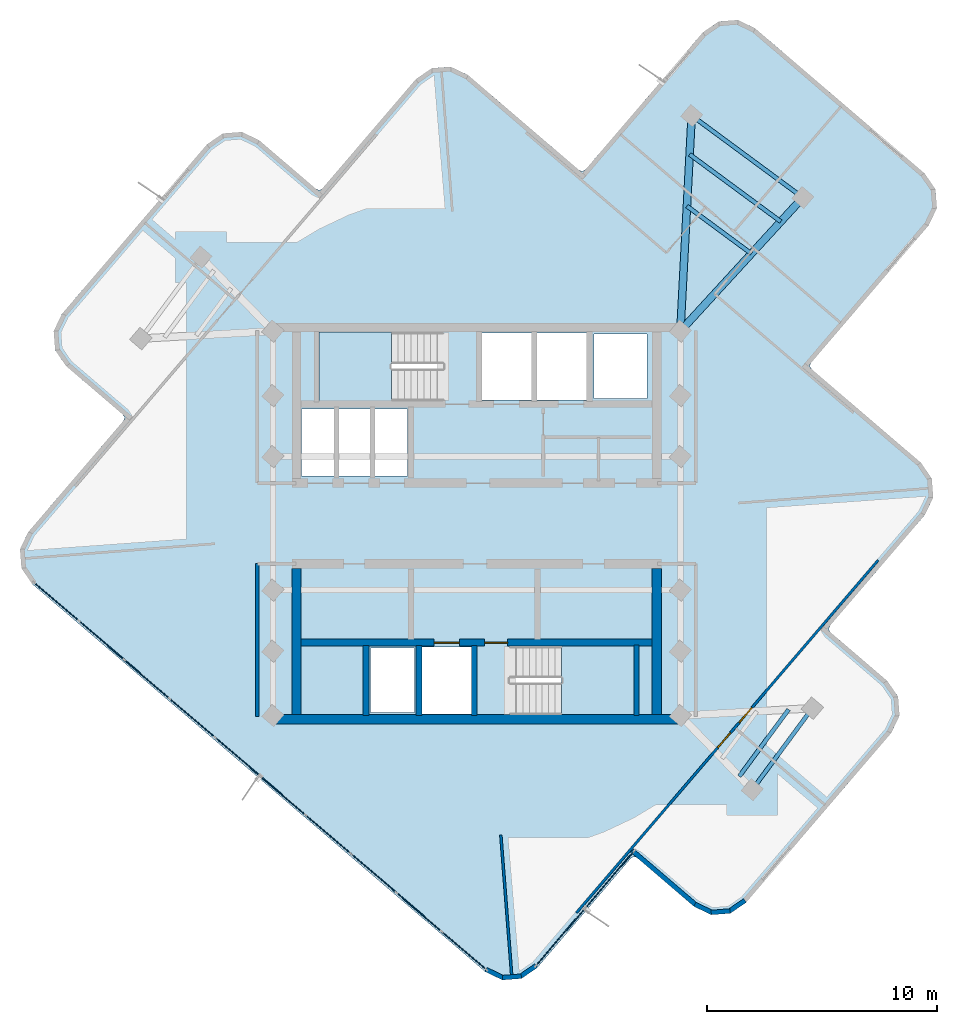
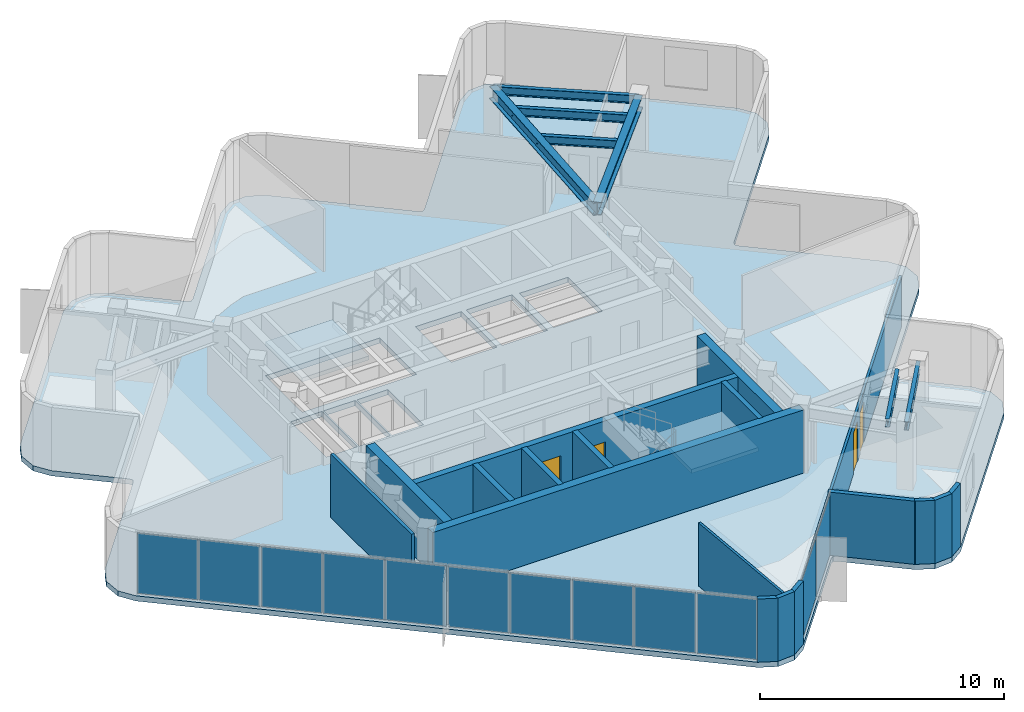
# One storey, part 5 of 11: 18 walls, 12 plates, 7 beams, 4 doors, 3 slabs, 4 openings, 4 elements without a shape of their own.
"""IFC4 building model written with IfcOpenShell, lengths in metres."""

import ifcopenshell
import ifcopenshell.guid

model = None  # the IFC model being written
_history = None  # IfcOwnerHistory: only IFC2X3 demands one
_inside = {}  # id of a spatial element -> (the spatial element, [elements in it])
_under = {}  # id of a project, library or spatial element -> (it, [spatial elements below it])
_declared = {}  # id of a project -> (the project, [libraries it declares])
_typed = {}  # id of a type object -> (the type object, [elements of that type])
_made_of = {}  # id of a material, layer set ... -> (it, [elements and type objects made of it])


def new_model(schema):
    """Start an empty IFC model of exactly this schema.

    Asked for "IFC4X3", IfcOpenShell would pick the latest addendum, in which some entities
    have other attributes; the version numbers below select the first issue.
    IFC2X3 requires an IfcOwnerHistory on every rooted entity: one is made here for all.
    """
    global model, _history
    if schema == "IFC4X3":
        model = ifcopenshell.file(schema_version=(4, 3, 0, 0))
    else:
        model = ifcopenshell.file(schema=schema)
    _inside.clear()
    _under.clear()
    _declared.clear()
    _typed.clear()
    _made_of.clear()
    _history = None
    if model.schema == "IFC2X3":
        org = make("IfcOrganization", Name="unknown")
        user = make(
            "IfcPersonAndOrganization",
            ThePerson=make("IfcPerson", FamilyName="unknown"),
            TheOrganization=org,
        )
        app = make(
            "IfcApplication",
            ApplicationDeveloper=org,
            Version="unknown",
            ApplicationFullName="unknown",
            ApplicationIdentifier="unknown",
        )
        _history = make(
            "IfcOwnerHistory",
            OwningUser=user,
            OwningApplication=app,
            ChangeAction="ADDED",
            CreationDate=0,
        )
    return model


def make(cls, **values):
    """One entity of the class cls with the attributes given. An attribute that is None is left unset."""
    return model.create_entity(
        cls, **{name: value for name, value in values.items() if value is not None}
    )


def rooted(cls, **values):
    """An entity with a GlobalId (a new one), such as an element, a storey or a relation."""
    return make(cls, GlobalId=ifcopenshell.guid.new(), OwnerHistory=_history, **values)


def si_unit(unit_type, name, prefix=None):
    """IfcSIUnit, for example si_unit("LENGTHUNIT", "METRE", prefix="MILLI")."""
    return make("IfcSIUnit", UnitType=unit_type, Prefix=prefix, Name=name)


def assignment(units):
    """IfcUnitAssignment: the units of a project."""
    return None if units is None else make("IfcUnitAssignment", Units=units)


def point(xyz):
    """IfcCartesianPoint."""
    return None if xyz is None else make("IfcCartesianPoint", Coordinates=xyz)


def direction(xyz):
    """IfcDirection."""
    return None if xyz is None else make("IfcDirection", DirectionRatios=xyz)


def frame(location, z_axis=None, x_axis=None):
    """IfcAxis2Placement3D, a coordinate frame: its origin and axes. An axis left out is left unset."""
    return make(
        "IfcAxis2Placement3D",
        Location=point(location),
        Axis=direction(z_axis),
        RefDirection=direction(x_axis),
    )


def frame_2d(location, x_axis=None):
    """IfcAxis2Placement2D, a coordinate frame in the plane: its origin and x axis."""
    return make(
        "IfcAxis2Placement2D", Location=point(location), RefDirection=direction(x_axis)
    )


def origin():
    """The frame at (0, 0, 0) with its axes left unset."""
    return frame((0.0, 0.0, 0.0))


def origin_2d():
    """The frame at (0, 0) in the plane with its x axis left unset."""
    return frame_2d((0.0, 0.0))


def place(relative_to, where):
    """IfcLocalPlacement: puts the frame where relative to a parent placement (None: the world)."""
    return make(
        "IfcLocalPlacement", PlacementRelTo=relative_to, RelativePlacement=where
    )


def context(
    kind, dimensions, precision=None, world=None, true_north=None, identifier=None
):
    """IfcGeometricRepresentationContext, for example the 3D "Model" context."""
    return make(
        "IfcGeometricRepresentationContext",
        ContextIdentifier=identifier,
        ContextType=kind,
        CoordinateSpaceDimension=dimensions,
        Precision=precision,
        WorldCoordinateSystem=world,
        TrueNorth=true_north,
    )


def subcontext(parent, identifier, kind, view, scale=None):
    """IfcGeometricRepresentationSubContext, for example "Body" below "Model"."""
    return make(
        "IfcGeometricRepresentationSubContext",
        ContextIdentifier=identifier,
        ContextType=kind,
        ParentContext=parent,
        TargetScale=scale,
        TargetView=view,
    )


def project(units=None, contexts=None):
    """IfcProject with its units and contexts."""
    return rooted(
        "IfcProject",
        Name="project",
        RepresentationContexts=contexts,
        UnitsInContext=assignment(units),
    )


def spatial(cls, under=None, at=None, **own):
    """A site, building, storey or space (cls), placed at a placement, below another one or the project."""
    s = rooted(cls, ObjectPlacement=at, **own)
    if under is not None:
        _under.setdefault(under.id(), (under, []))[1].append(s)
    return s


def polyline(points):
    """IfcPolyline through the points."""
    return make("IfcPolyline", Points=[point(p) for p in points])


def profile(cls, at=None, kind="AREA", **sizes):
    """A parametric profile (cls). Its sizes go by their IFC names, for example OverallWidth=200.0."""
    return make(cls, ProfileType=kind, Position=at, **sizes)


def rectangle(**sizes):
    """IfcRectangleProfileDef."""
    return profile("IfcRectangleProfileDef", **sizes)


def i_section(**sizes):
    """IfcIShapeProfileDef."""
    return profile("IfcIShapeProfileDef", **sizes)


def outline(outer, holes=None, kind="AREA"):
    """IfcArbitraryClosedProfileDef: a profile drawn as a closed curve; with holes, ...WithVoids."""
    if holes is None:
        return make("IfcArbitraryClosedProfileDef", ProfileType=kind, OuterCurve=outer)
    return make(
        "IfcArbitraryProfileDefWithVoids",
        ProfileType=kind,
        OuterCurve=outer,
        InnerCurves=holes,
    )


def extrude(swept, where, along, depth):
    """IfcExtrudedAreaSolid: the profile swept, set in the frame where, extruded along a direction by depth."""
    return make(
        "IfcExtrudedAreaSolid",
        SweptArea=swept,
        Position=where,
        ExtrudedDirection=direction(along),
        Depth=depth,
    )


def shape(context_of_items, identifier, shape_type, items):
    """IfcShapeRepresentation: the items that make up one representation, for example the "Body"."""
    return make(
        "IfcShapeRepresentation",
        ContextOfItems=context_of_items,
        RepresentationIdentifier=identifier,
        RepresentationType=shape_type,
        Items=items,
    )


def material(Name=None, Category=None):
    """IfcMaterial."""
    return make("IfcMaterial", Name=Name, Category=Category)


def layer(
    of_material, thickness, ventilated=None, Name=None, Category=None, Priority=None
):
    """IfcMaterialLayer: one layer of a wall or slab, of a material (None: an air gap)."""
    return make(
        "IfcMaterialLayer",
        Material=of_material,
        LayerThickness=thickness,
        IsVentilated=ventilated,
        Name=Name,
        Category=Category,
        Priority=Priority,
    )


def layer_set(layers, Name=None):
    """IfcMaterialLayerSet."""
    return make("IfcMaterialLayerSet", MaterialLayers=layers, LayerSetName=Name)


def material_profile(
    of_material, cross_section, Name=None, Category=None, Priority=None
):
    """IfcMaterialProfile: a cross section and its material."""
    return make(
        "IfcMaterialProfile",
        Name=Name,
        Material=of_material,
        Profile=cross_section,
        Priority=Priority,
        Category=Category,
    )


def profile_set(profiles, Name=None, composite=None):
    """IfcMaterialProfileSet."""
    return make(
        "IfcMaterialProfileSet",
        Name=Name,
        MaterialProfiles=profiles,
        CompositeProfile=composite,
    )


def made_of(thing, what):
    """Note that an element or type object is made of a material, layer set ...; save() writes the relation."""
    if what is not None:
        _made_of.setdefault(what.id(), (what, []))[1].append(thing)
    return thing


def type_object(cls, material=None, **own):
    """A type object (cls), such as IfcWallType, which elements share."""
    return made_of(rooted(cls, **own), material)


def element(
    cls,
    number,
    at=None,
    inside=None,
    cuts=None,
    type_object=None,
    material=None,
    context=None,
    identifier="Body",
    shape_type=None,
    held_by="IfcProductDefinitionShape",
    body=None,
    shapes=None,
    **own,
):
    """One element of the class cls, such as IfcWall. Its Tag is "e" and its number.

    at: its placement. inside: the storey or other place that contains it. cuts: it is an
    opening in that element (IfcRelVoidsElement). A single representation is given by context,
    identifier, shape_type and body (its items); several are given by shapes. held_by: the class
    of the entity that holds the representations. save() writes the other relations.
    """
    e = rooted(cls, Tag="e%d" % number, ObjectPlacement=at, **own)
    if body is not None:
        shapes = [shape(context, identifier, shape_type, body)]
    if shapes is not None:
        e.Representation = make(held_by, Representations=shapes)
    if inside is not None:
        _inside.setdefault(inside.id(), (inside, []))[1].append(e)
    if cuts is not None:
        rooted(
            "IfcRelVoidsElement", RelatingBuildingElement=cuts, RelatedOpeningElement=e
        )
    if type_object is not None:
        _typed.setdefault(type_object.id(), (type_object, []))[1].append(e)
    return made_of(e, material)


def fill(opening, filler):
    """IfcRelFillsElement: the door or window that sits in an opening."""
    return rooted(
        "IfcRelFillsElement",
        RelatingOpeningElement=opening,
        RelatedBuildingElement=filler,
    )


def aggregate(whole, parts):
    """IfcRelAggregates: a whole, such as a stair, and the parts it consists of."""
    return rooted("IfcRelAggregates", RelatingObject=whole, RelatedObjects=parts)


def save(model, path):
    """Write the relations noted so far, then the file.

    IfcRelAggregates (storeys below a building ...), IfcRelContainedInSpatialStructure (elements
    in a storey), IfcRelDefinesByType, IfcRelAssociatesMaterial and IfcRelDeclares: one each for
    every whole, place, type object, material and project.
    """
    for whole, parts in _under.values():
        aggregate(whole, parts)
    for where, things in _inside.values():
        rooted(
            "IfcRelContainedInSpatialStructure",
            RelatedElements=things,
            RelatingStructure=where,
        )
    for kind, things in _typed.values():
        rooted("IfcRelDefinesByType", RelatedObjects=things, RelatingType=kind)
    for what, things in _made_of.values():
        rooted("IfcRelAssociatesMaterial", RelatedObjects=things, RelatingMaterial=what)
    for by, libraries in _declared.values():
        rooted("IfcRelDeclares", RelatingContext=by, RelatedDefinitions=libraries)
    model.write(path)


model = new_model("IFC4")

# Units and contexts
model_context = context("Model", 3, precision=1e-05, world=origin(), true_north=direction((0.0, 1.0)))
body_context = subcontext(model_context, "Body", "Model", "MODEL_VIEW")
ifc_project = project(units=[si_unit("LENGTHUNIT", "METRE"), si_unit("AREAUNIT", "SQUARE_METRE"), si_unit("VOLUMEUNIT", "CUBIC_METRE"), si_unit("PLANEANGLEUNIT", "RADIAN"), si_unit("MASSUNIT", "GRAM", prefix="KILO")], contexts=[model_context])

# Site, building, storey
site_placement = place(None, origin())
site = spatial("IfcSite", under=ifc_project, at=site_placement, CompositionType="ELEMENT")
building_placement = place(site_placement, origin())
building = spatial("IfcBuilding", under=site, at=building_placement, Name="Solmarez Civic Tower", CompositionType="ELEMENT")
storey_placement = place(building_placement, frame((0.0, 0.0, 250.919921875)))
storey = spatial("IfcBuildingStorey", under=building, at=storey_placement, Name="L67", CompositionType="ELEMENT", Elevation=250.919921875)

# Beams
ifc_material_1 = material(Name="Steel S355", Category="steel")
ifc_material_profile_1 = material_profile(ifc_material_1, i_section(OverallWidth=0.178955078125, OverallDepth=0.409912109375, WebThickness=0.0087890625, FlangeThickness=0.014404296875, at=origin_2d()), Name="W16X45")
ifc_profile_set_1 = profile_set([ifc_material_profile_1], Name="Steel S355")
beam_type_1 = type_object("IfcBeamType", Name="BM-JS-W16X45", PredefinedType="JOIST", material=ifc_profile_set_1)
beam_1_placement = place(storey_placement, frame((14.1689453125, 14.152099609375, 2.955078125), z_axis=(-0.804687480311, 0.593698626434, 0.0), x_axis=(-0.593698626434, -0.804687480311, 0.0)))
element("IfcBeam", 1, at=beam_1_placement, inside=storey, type_object=beam_type_1, Name="L67 Secondary Floor Joist BM-L67-EA-T1", PredefinedType="JOIST", context=body_context, shape_type="SweptSolid", body=[
    extrude(i_section(OverallWidth=0.178955078125, OverallDepth=0.409912109375, WebThickness=0.0087890625, FlangeThickness=0.014404296875, at=origin_2d()), origin(), (0.0, 0.0, 1.0), 5.999755859375),
])
beam_2_placement = place(storey_placement, frame((11.93505859375, 11.715087890625, 2.955078125), z_axis=(-0.8046818189, 0.593706299724, 0.0), x_axis=(-0.593706299724, -0.8046818189, 0.0)))
element("IfcBeam", 2, at=beam_2_placement, inside=storey, type_object=beam_type_1, Name="L67 Secondary Floor Joist JS-L67-EA-M11", PredefinedType="JOIST", context=body_context, shape_type="SweptSolid", body=[
    extrude(i_section(OverallWidth=0.178955078125, OverallDepth=0.409912109375, WebThickness=0.0087890625, FlangeThickness=0.014404296875, at=origin_2d()), origin(), (0.0, 0.0, 1.0), 3.479736328125),
])
beam_3_placement = place(storey_placement, frame((13.2119140625, 13.10791015625, 2.955078125), z_axis=(-0.804762606031, 0.593596789019, 0.0), x_axis=(-0.593596789019, -0.804762606031, 0.0)))
element("IfcBeam", 3, at=beam_3_placement, inside=storey, type_object=beam_type_1, Name="L67 Secondary Floor Joist JS-L67-EA-M12", PredefinedType="JOIST", context=body_context, shape_type="SweptSolid", body=[
    extrude(i_section(OverallWidth=0.178955078125, OverallDepth=0.409912109375, WebThickness=0.0087890625, FlangeThickness=0.014404296875, at=origin_2d()), origin(), (0.0, 0.0, 1.0), 4.91943359375),
])
beam_4_placement = place(storey_placement, frame((11.970947265625, -11.56591796875, 2.955078125), z_axis=(0.593730834471, 0.804663716219, 0.0), x_axis=(-0.804663716219, 0.593730834471, 0.0)))
element("IfcBeam", 4, at=beam_4_placement, inside=storey, type_object=beam_type_1, Name="L67 Secondary Floor Joist BM-L67-SA-T1", PredefinedType="JOIST", context=body_context, shape_type="SweptSolid", body=[
    extrude(i_section(OverallWidth=0.178955078125, OverallDepth=0.409912109375, WebThickness=0.0087890625, FlangeThickness=0.014404296875, at=origin_2d()), origin(), (0.0, 0.0, 1.0), 4.3994140625),
])
beam_5_placement = place(storey_placement, frame((11.408935546875, -10.987060546875, 2.955078125), z_axis=(0.593734433343, 0.804661060735, 0.0), x_axis=(-0.804661060735, 0.593734433343, 0.0)))
element("IfcBeam", 5, at=beam_5_placement, inside=storey, type_object=beam_type_1, Name="L67 Secondary Floor Joist JS-L67-SA-M12", PredefinedType="JOIST", context=body_context, shape_type="SweptSolid", body=[
    extrude(i_section(OverallWidth=0.178955078125, OverallDepth=0.409912109375, WebThickness=0.0087890625, FlangeThickness=0.014404296875, at=origin_2d()), origin(), (0.0, 0.0, 1.0), 3.60791015625),
])
ifc_material_profile_2 = material_profile(ifc_material_1, i_section(OverallWidth=0.327880859375, OverallDepth=0.6220703125, WebThickness=0.015380859375, FlangeThickness=0.0244140625, at=origin_2d()), Name="W24X131")
ifc_profile_set_2 = profile_set([ifc_material_profile_2], Name="Steel S355")
beam_type_2 = type_object("IfcBeamType", Name="BM-PR-W24X131", PredefinedType="BEAM", material=ifc_profile_set_2)
beam_6_placement = place(storey_placement, frame((8.85009765625, 8.35009765625, 2.84912109375), z_axis=(0.67574850583, 0.737132251953, 0.0), x_axis=(-0.737132251953, 0.67574850583, 0.0)))
element("IfcBeam", 6, at=beam_6_placement, inside=storey, type_object=beam_type_2, Name="L67 Primary Floor Beam BM-L67-EA-R1A", PredefinedType="BEAM", context=body_context, shape_type="SweptSolid", body=[
    extrude(i_section(OverallWidth=0.327880859375, OverallDepth=0.6220703125, WebThickness=0.015380859375, FlangeThickness=0.0244140625, at=origin_2d()), origin(), (0.0, 0.0, 1.0), 7.87109375),
])
beam_7_placement = place(storey_placement, frame((8.85009765625, 8.35009765625, 2.84912109375), z_axis=(0.052359315135, 0.998628310293, 0.0), x_axis=(-0.998628310293, 0.052359315135, 0.0)))
element("IfcBeam", 7, at=beam_7_placement, inside=storey, type_object=beam_type_2, Name="L67 Primary Floor Beam BM-L67-EA-R1B", PredefinedType="BEAM", context=body_context, shape_type="SweptSolid", body=[
    extrude(i_section(OverallWidth=0.327880859375, OverallDepth=0.6220703125, WebThickness=0.015380859375, FlangeThickness=0.0244140625, at=origin_2d()), origin(), (0.0, 0.0, 1.0), 9.376953125),
])

# Curtain wall, plates
ifc_material_2 = material(Name="Bronze Anodised Aluminium EN AW-6063 T6", Category="aluminium")
ifc_layer_1 = layer(ifc_material_2, 0.1650390625)
ifc_layer_set_1 = layer_set([ifc_layer_1], Name="Bronze Anodised Aluminium EN AW-6063 T6")
curtain_wall_type = type_object("IfcCurtainWallType", Name="CW-SYS-4", PredefinedType="NOTDEFINED", material=ifc_layer_set_1)
curtain_wall_1_placement = place(storey_placement, origin())
curtain_wall_1 = element("IfcCurtainWall", 8, at=curtain_wall_1_placement, inside=storey, type_object=curtain_wall_type, Name="L67 Stick-Built Curtain Wall 1", PredefinedType="NOTDEFINED")
ifc_material_3 = material(Name="Solar Control Low-E Laminated Vision Glass", Category="glass")
ifc_layer_2 = layer(ifc_material_3, 0.0400390625)
ifc_layer_set_2 = layer_set([ifc_layer_2], Name="Solar Control Low-E Laminated Vision Glass")
plate_type = type_object("IfcPlateType", Name="CWP-GLAZ-40", PredefinedType="CURTAIN_PANEL", material=ifc_layer_set_2)
plate_1_placement = place(storey_placement, frame((5.77880859375, -15.470703125, 0.070068359375), z_axis=(0.0, 0.0, 1.0), x_axis=(-0.650245539835, -0.759724119615, 0.0)))
plate_1 = element("IfcPlate", 9, at=plate_1_placement, type_object=plate_type, Name="CWS4 panel 1.1", PredefinedType="CURTAIN_PANEL", context=body_context, shape_type="SweptSolid", body=[
    extrude(rectangle(XDim=3.230224609375, YDim=0.0400390625, at=origin_2d()), origin(), (0.0, 0.0, 1.0), 3.02001953125),
])
plate_2_placement = place(storey_placement, frame((3.63916015625, -17.970458984375, 0.070068359375), z_axis=(0.0, 0.0, 1.0), x_axis=(-0.650245539835, -0.759724119615, 0.0)))
plate_2 = element("IfcPlate", 10, at=plate_2_placement, type_object=plate_type, Name="CWS4 panel 2.1", PredefinedType="CURTAIN_PANEL", context=body_context, shape_type="SweptSolid", body=[
    extrude(rectangle(XDim=3.230224609375, YDim=0.0400390625, at=origin_2d()), origin(), (0.0, 0.0, 1.0), 3.02001953125),
])
aggregate(curtain_wall_1, [plate_1, plate_2])

curtain_wall_2_placement = place(storey_placement, origin())
curtain_wall_2 = element("IfcCurtainWall", 11, at=curtain_wall_2_placement, inside=storey, type_object=curtain_wall_type, Name="L67 Stick-Built Curtain Wall 2", PredefinedType="NOTDEFINED")
plate_3_placement = place(storey_placement, frame((-0.545166015625, -18.553466796875, 0.070068359375), z_axis=(0.0, 0.0, 1.0), x_axis=(-0.759724769329, 0.650244780731, 0.0)))
plate_3 = element("IfcPlate", 12, at=plate_3_placement, type_object=plate_type, Name="CWS4 panel 1.1", PredefinedType="CURTAIN_PANEL", context=body_context, shape_type="SweptSolid", body=[
    extrude(rectangle(XDim=2.502197265625, YDim=0.0400390625, at=origin_2d()), origin(), (0.0, 0.0, 1.0), 3.02001953125),
])
plate_4_placement = place(storey_placement, frame((-2.503173828125, -16.877685546875, 0.070068359375), z_axis=(0.0, 0.0, 1.0), x_axis=(-0.759724769329, 0.650244780731, 0.0)))
plate_4 = element("IfcPlate", 13, at=plate_4_placement, type_object=plate_type, Name="CWS4 panel 2.1", PredefinedType="CURTAIN_PANEL", context=body_context, shape_type="SweptSolid", body=[
    extrude(rectangle(XDim=2.5322265625, YDim=0.0400390625, at=origin_2d()), origin(), (0.0, 0.0, 1.0), 3.02001953125),
])
plate_5_placement = place(storey_placement, frame((-4.472412109375, -15.19189453125, 0.070068359375), z_axis=(0.0, 0.0, 1.0), x_axis=(-0.759724769329, 0.650244780731, 0.0)))
plate_5 = element("IfcPlate", 14, at=plate_5_placement, type_object=plate_type, Name="CWS4 panel 3.1", PredefinedType="CURTAIN_PANEL", context=body_context, shape_type="SweptSolid", body=[
    extrude(rectangle(XDim=2.5322265625, YDim=0.0400390625, at=origin_2d()), origin(), (0.0, 0.0, 1.0), 3.02001953125),
])
plate_6_placement = place(storey_placement, frame((-6.44189453125, -13.50634765625, 0.070068359375), z_axis=(0.0, 0.0, 1.0), x_axis=(-0.759724769329, 0.650244780731, 0.0)))
plate_6 = element("IfcPlate", 15, at=plate_6_placement, type_object=plate_type, Name="CWS4 panel 4.1", PredefinedType="CURTAIN_PANEL", context=body_context, shape_type="SweptSolid", body=[
    extrude(rectangle(XDim=2.5322265625, YDim=0.0400390625, at=origin_2d()), origin(), (0.0, 0.0, 1.0), 3.02001953125),
])
plate_7_placement = place(storey_placement, frame((-8.411376953125, -11.82080078125, 0.070068359375), z_axis=(0.0, 0.0, 1.0), x_axis=(-0.759724769329, 0.650244780731, 0.0)))
plate_7 = element("IfcPlate", 16, at=plate_7_placement, type_object=plate_type, Name="CWS4 panel 5.1", PredefinedType="CURTAIN_PANEL", context=body_context, shape_type="SweptSolid", body=[
    extrude(rectangle(XDim=2.5322265625, YDim=0.0400390625, at=origin_2d()), origin(), (0.0, 0.0, 1.0), 3.02001953125),
])
plate_8_placement = place(storey_placement, frame((-10.380615234375, -10.13525390625, 0.070068359375), z_axis=(0.0, 0.0, 1.0), x_axis=(-0.759724769329, 0.650244780731, 0.0)))
plate_8 = element("IfcPlate", 17, at=plate_8_placement, type_object=plate_type, Name="CWS4 panel 6.1", PredefinedType="CURTAIN_PANEL", context=body_context, shape_type="SweptSolid", body=[
    extrude(rectangle(XDim=2.5322265625, YDim=0.0400390625, at=origin_2d()), origin(), (0.0, 0.0, 1.0), 3.02001953125),
])
plate_9_placement = place(storey_placement, frame((-12.35009765625, -8.44970703125, 0.070068359375), z_axis=(0.0, 0.0, 1.0), x_axis=(-0.759724769329, 0.650244780731, 0.0)))
plate_9 = element("IfcPlate", 18, at=plate_9_placement, type_object=plate_type, Name="CWS4 panel 7.1", PredefinedType="CURTAIN_PANEL", context=body_context, shape_type="SweptSolid", body=[
    extrude(rectangle(XDim=2.5322265625, YDim=0.0400390625, at=origin_2d()), origin(), (0.0, 0.0, 1.0), 3.02001953125),
])
plate_10_placement = place(storey_placement, frame((-14.319580078125, -6.763916015625, 0.070068359375), z_axis=(0.0, 0.0, 1.0), x_axis=(-0.759724769329, 0.650244780731, 0.0)))
plate_10 = element("IfcPlate", 19, at=plate_10_placement, type_object=plate_type, Name="CWS4 panel 8.1", PredefinedType="CURTAIN_PANEL", context=body_context, shape_type="SweptSolid", body=[
    extrude(rectangle(XDim=2.5322265625, YDim=0.0400390625, at=origin_2d()), origin(), (0.0, 0.0, 1.0), 3.02001953125),
])
plate_11_placement = place(storey_placement, frame((-16.288818359375, -5.078369140625, 0.070068359375), z_axis=(0.0, 0.0, 1.0), x_axis=(-0.759724769329, 0.650244780731, 0.0)))
plate_11 = element("IfcPlate", 20, at=plate_11_placement, type_object=plate_type, Name="CWS4 panel 9.1", PredefinedType="CURTAIN_PANEL", context=body_context, shape_type="SweptSolid", body=[
    extrude(rectangle(XDim=2.5322265625, YDim=0.0400390625, at=origin_2d()), origin(), (0.0, 0.0, 1.0), 3.02001953125),
])
plate_12_placement = place(storey_placement, frame((-18.246826171875, -3.402587890625, 0.070068359375), z_axis=(0.0, 0.0, 1.0), x_axis=(-0.759724769329, 0.650244780731, 0.0)))
plate_12 = element("IfcPlate", 21, at=plate_12_placement, type_object=plate_type, Name="CWS4 panel 10.1", PredefinedType="CURTAIN_PANEL", context=body_context, shape_type="SweptSolid", body=[
    extrude(rectangle(XDim=2.502197265625, YDim=0.0400390625, at=origin_2d()), origin(), (0.0, 0.0, 1.0), 3.02001953125),
])
aggregate(curtain_wall_2, [plate_3, plate_4, plate_5, plate_6, plate_7, plate_8, plate_9, plate_10, plate_11, plate_12])

# Stair, slab
ifc_material_4 = material(Name="Concrete C50/60", Category="concrete")
stair_type = type_object("IfcStairType", Name="STAIR-DOGLEG-140W-18R-1900", PredefinedType="HALF_TURN_STAIR", material=ifc_material_4)
stair_1_placement = place(storey_placement, origin())
stair_1 = element("IfcStair", 22, at=stair_1_placement, inside=storey, type_object=stair_type, Name="L67 North Core Protected Exit Stair ST-1", PredefinedType="HALF_TURN_STAIR")
ifc_layer_3 = layer(ifc_material_4, 0.199951171875)
ifc_layer_set_3 = layer_set([ifc_layer_3], Name="Concrete C50/60")
slab_type_1 = type_object("IfcSlabType", Name="SLAB-LANDING-200", PredefinedType="LANDING", material=ifc_layer_set_3)
slab_1_placement = place(storey_placement, frame((0.0, 0.0, 1.510009765625)))
slab_1 = element("IfcSlab", 23, at=slab_1_placement, type_object=slab_type_1, Name="ST-1 landing 1", PredefinedType="LANDING", context=body_context, shape_type="SweptSolid", body=[
    extrude(outline(polyline([(-3.68994140625, 8.320068359375), (-6.85009765625, 8.320068359375), (-6.85009765625, 5.320068359375), (-3.68994140625, 5.320068359375), (-3.68994140625, 8.320068359375)])), origin(), (0.0, 0.0, 1.0), 0.199951171875),
])
aggregate(stair_1, [slab_1])

stair_2_placement = place(storey_placement, origin())
stair_2 = element("IfcStair", 24, at=stair_2_placement, inside=storey, type_object=stair_type, Name="L67 South Core Protected Exit Stair ST-2", PredefinedType="HALF_TURN_STAIR")
slab_2_placement = place(storey_placement, frame((0.0, 0.0, 1.510009765625)))
slab_2 = element("IfcSlab", 25, at=slab_2_placement, type_object=slab_type_1, Name="ST-2 landing 1", PredefinedType="LANDING", context=body_context, shape_type="SweptSolid", body=[
    extrude(outline(polyline([(3.68994140625, -8.320068359375), (6.85009765625, -8.320068359375), (6.85009765625, -5.320068359375), (3.68994140625, -5.320068359375), (3.68994140625, -8.320068359375)])), origin(), (0.0, 0.0, 1.0), 0.199951171875),
])
aggregate(stair_2, [slab_2])

# Slab
ifc_layer_4 = layer(ifc_material_4, 0.260009765625)
ifc_layer_set_4 = layer_set([ifc_layer_4], Name="Concrete C50/60")
slab_type_2 = type_object("IfcSlabType", Name="SLAB-TOWER-260", PredefinedType="FLOOR", material=ifc_layer_set_4)
slab_3_placement = place(storey_placement, frame((0.0, 0.0, -0.260009765625)))
element("IfcSlab", 26, at=slab_3_placement, inside=storey, type_object=slab_type_2, Name="L67 Structural Slab", PredefinedType="FLOOR", context=body_context, shape_type="SweptSolid", body=[
    extrude(outline(polyline([(6.987060546875, -14.535888671875), (9.447998046875, -16.64306640625), (10.196044921875, -17.0), (11.02099609375, -16.93603515625), (11.7041015625, -16.467041015625), (18.011962890625, -9.097900390625), (18.368896484375, -8.35107421875), (18.304931640625, -7.52490234375), (17.8369140625, -6.842041015625), (15.3759765625, -4.736083984375), (15.278076171875, -4.593994140625), (15.35302734375, -4.43896484375), (19.47509765625, 0.376953125), (19.83203125, 1.125), (19.76806640625, 1.949951171875), (19.299072265625, 2.633056640625), (14.55908203125, 6.68994140625), (14.4619140625, 6.83203125), (14.535888671875, 6.987060546875), (19.634033203125, 12.943115234375), (19.990966796875, 13.68994140625), (19.927001953125, 14.51611328125), (19.458984375, 15.198974609375), (12.089111328125, 21.507080078125), (11.342041015625, 21.864013671875), (10.51611328125, 21.800048828125), (9.8330078125, 21.3310546875), (4.736083984375, 15.3759765625), (4.593994140625, 15.278076171875), (4.43896484375, 15.35302734375), (-0.376953125, 19.47509765625), (-1.125, 19.83203125), (-1.949951171875, 19.76806640625), (-2.633056640625, 19.299072265625), (-6.68994140625, 14.55908203125), (-6.83203125, 14.4619140625), (-6.987060546875, 14.535888671875), (-9.447998046875, 16.64306640625), (-10.196044921875, 17.0), (-11.02099609375, 16.93603515625), (-11.7041015625, 16.467041015625), (-18.011962890625, 9.097900390625), (-18.368896484375, 8.35107421875), (-18.304931640625, 7.52490234375), (-17.8369140625, 6.842041015625), (-15.3759765625, 4.736083984375), (-15.278076171875, 4.593994140625), (-15.35302734375, 4.43896484375), (-19.47509765625, -0.376953125), (-19.83203125, -1.125), (-19.76806640625, -1.949951171875), (-19.299072265625, -2.633056640625), (0.376953125, -19.47509765625), (1.125, -19.83203125), (1.949951171875, -19.76806640625), (2.633056640625, -19.299072265625), (6.68994140625, -14.55908203125), (6.83203125, -14.4619140625), (6.987060546875, -14.535888671875)]), holes=[polyline([(-1.449951171875, 8.320068359375), (-6.85009765625, 8.320068359375), (-6.85009765625, 5.320068359375), (-1.449951171875, 5.320068359375), (-1.449951171875, 8.320068359375)]), polyline([(1.449951171875, -8.320068359375), (6.85009765625, -8.320068359375), (6.85009765625, -5.320068359375), (1.449951171875, -5.320068359375), (1.449951171875, -8.320068359375)]), polyline([(0.219970703125, 5.360107421875), (2.3798828125, 5.360107421875), (2.3798828125, 8.280029296875), (0.219970703125, 8.280029296875), (0.219970703125, 5.360107421875)]), polyline([(2.6201171875, 5.360107421875), (4.780029296875, 5.360107421875), (4.780029296875, 8.280029296875), (2.6201171875, 8.280029296875), (2.6201171875, 5.360107421875)]), polyline([(-2.3798828125, -8.280029296875), (-0.219970703125, -8.280029296875), (-0.219970703125, -5.360107421875), (-2.3798828125, -5.360107421875), (-2.3798828125, -8.280029296875)]), polyline([(-7.60009765625, 2.06005859375), (-6.1201171875, 2.06005859375), (-6.1201171875, 4.9599609375), (-7.60009765625, 4.9599609375), (-7.60009765625, 2.06005859375)]), polyline([(-6.0400390625, 2.06005859375), (-4.56005859375, 2.06005859375), (-4.56005859375, 4.9599609375), (-6.0400390625, 4.9599609375), (-6.0400390625, 2.06005859375)]), polyline([(-4.47998046875, 2.06005859375), (-3.0, 2.06005859375), (-3.0, 4.9599609375), (-4.47998046875, 4.9599609375), (-4.47998046875, 2.06005859375)]), polyline([(5.10009765625, 5.419921875), (7.39990234375, 5.419921875), (7.39990234375, 8.219970703125), (5.10009765625, 8.219970703125), (5.10009765625, 5.419921875)]), polyline([(-4.60009765625, -8.219970703125), (-2.699951171875, -8.219970703125), (-2.699951171875, -5.419921875), (-4.60009765625, -5.419921875), (-4.60009765625, -8.219970703125)])]), origin(), (0.0, 0.0, 1.0), 0.260009765625),
])

# Walls
ifc_layer_5 = layer(ifc_material_4, 0.39990234375)
ifc_layer_set_5 = layer_set([ifc_layer_5], Name="Concrete C50/60")
wall_type_1 = type_object("IfcWallType", Name="WALL-CORE-400", PredefinedType="SHEAR", material=ifc_layer_set_5)
wall_1_placement = place(storey_placement, frame((8.780029296875, -8.510009765625, 0.0), z_axis=(0.0, 0.0, 1.0), x_axis=(-1.0, 0.0, 0.0)))
element("IfcWall", 27, at=wall_1_placement, inside=storey, type_object=wall_type_1, Name="L67 Split-Core Structural Wall SCW-S-L67", PredefinedType="SHEAR", context=body_context, shape_type="SweptSolid", body=[
    extrude(rectangle(XDim=17.56005859375, YDim=0.39990234375, at=frame_2d((8.780029296875, 0.0))), origin(), (0.0, 0.0, 1.0), 3.16015625),
])
for number, where, z_axis, x_axis, name in (
    (28, (-7.820068359375, -8.31005859375, 0.0), (0.0, 0.0, 1.0), (0.0, 1.0, 0.0), "L67 Split-Core Structural Wall SCW-W-L67"),
    (29, (7.820068359375, -1.949951171875, 0.0), (0.0, 0.0, 1.0), (0.0, -1.0, 0.0), "L67 Split-Core Structural Wall SCW-E-L67"),
):
    element("IfcWall", number, at=place(storey_placement, frame(where, z_axis=z_axis, x_axis=x_axis)), inside=storey, type_object=wall_type_1, Name=name, PredefinedType="SHEAR", context=body_context, shape_type="SweptSolid", body=[
        extrude(rectangle(XDim=6.360107421875, YDim=0.39990234375, at=frame_2d((3.18017578125, 0.0))), origin(), (0.0, 0.0, 1.0), 3.16015625),
    ])
ifc_material_5 = material(Name="Precast concrete C40/50", Category="concrete")
ifc_layer_6 = layer(ifc_material_5, 0.199951171875)
ifc_layer_set_6 = layer_set([ifc_layer_6], Name="Precast concrete C40/50")
wall_type_2 = type_object("IfcWallType", Name="WALL-EXT-200", PredefinedType="SOLIDWALL", material=ifc_layer_set_6)
wall_2_placement = place(storey_placement, frame((2.5869140625, -19.2099609375, 0.0), z_axis=(0.0, 0.0, 1.0), x_axis=(-0.824907237821, -0.565268121329, 0.0)))
element("IfcWall", 30, at=wall_2_placement, inside=storey, type_object=wall_type_2, Name="L67 Exterior Precast Wall 3", PredefinedType="SOLIDWALL", context=body_context, shape_type="SweptSolid", body=[
    extrude(rectangle(XDim=0.8388671875, YDim=0.199951171875, at=frame_2d((0.41943359375, 0.0))), origin(), (0.0, 0.0, 1.0), 3.16015625),
])
wall_3_placement = place(storey_placement, frame((1.94091796875, -19.66796875, 0.0), z_axis=(0.0, 0.0, 1.0), x_axis=(-0.996986164412, -0.077579558977, 0.0)))
element("IfcWall", 31, at=wall_3_placement, inside=storey, type_object=wall_type_2, Name="L67 Exterior Precast Wall 4", PredefinedType="SOLIDWALL", context=body_context, shape_type="SweptSolid", body=[
    extrude(rectangle(XDim=0.824462890625, YDim=0.199951171875, at=frame_2d((0.412109375, 0.0))), origin(), (0.0, 0.0, 1.0), 3.16015625),
])
wall_4_placement = place(storey_placement, frame((1.1669921875, -19.740966796875, 0.0), z_axis=(0.0, 0.0, 1.0), x_axis=(-0.902360330408, 0.430982405796, 0.0)))
element("IfcWall", 32, at=wall_4_placement, inside=storey, type_object=wall_type_2, Name="L67 Exterior Precast Wall 5", PredefinedType="SOLIDWALL", context=body_context, shape_type="SweptSolid", body=[
    extrude(rectangle(XDim=0.840087890625, YDim=0.199951171875, at=frame_2d((0.419921875, 0.0))), origin(), (0.0, 0.0, 1.0), 3.16015625),
])
wall_5_placement = place(storey_placement, frame((11.657958984375, -16.3779296875, 0.0), z_axis=(0.0, 0.0, 1.0), x_axis=(-0.824907237821, -0.565268121329, 0.0)))
element("IfcWall", 33, at=wall_5_placement, inside=storey, type_object=wall_type_2, Name="L67 Exterior Precast Wall 54", PredefinedType="SOLIDWALL", context=body_context, shape_type="SweptSolid", body=[
    extrude(rectangle(XDim=0.8388671875, YDim=0.199951171875, at=frame_2d((0.41943359375, 0.0))), origin(), (0.0, 0.0, 1.0), 3.16015625),
])
wall_6_placement = place(storey_placement, frame((11.011962890625, -16.8359375, 0.0), z_axis=(0.0, 0.0, 1.0), x_axis=(-0.996986164412, -0.077579558977, 0.0)))
element("IfcWall", 34, at=wall_6_placement, inside=storey, type_object=wall_type_2, Name="L67 Exterior Precast Wall 55", PredefinedType="SOLIDWALL", context=body_context, shape_type="SweptSolid", body=[
    extrude(rectangle(XDim=0.824462890625, YDim=0.199951171875, at=frame_2d((0.412109375, 0.0))), origin(), (0.0, 0.0, 1.0), 3.16015625),
])
wall_7_placement = place(storey_placement, frame((10.238037109375, -16.908935546875, 0.0), z_axis=(0.0, 0.0, 1.0), x_axis=(-0.902473334209, 0.430745726666, 0.0)))
element("IfcWall", 35, at=wall_7_placement, inside=storey, type_object=wall_type_2, Name="L67 Exterior Precast Wall 56", PredefinedType="SOLIDWALL", context=body_context, shape_type="SweptSolid", body=[
    extrude(rectangle(XDim=0.840087890625, YDim=0.199951171875, at=frame_2d((0.419921875, 0.0))), origin(), (0.0, 0.0, 1.0), 3.16015625),
])
wall_8_placement = place(storey_placement, frame((9.52197265625, -16.573974609375, 0.0), z_axis=(0.0, 0.0, 1.0), x_axis=(-0.759914066759, 0.650023546606, 0.0)))
element("IfcWall", 36, at=wall_8_placement, inside=storey, type_object=wall_type_2, Name="L67 Exterior Precast Wall 57", PredefinedType="SOLIDWALL", context=body_context, shape_type="SweptSolid", body=[
    extrude(rectangle(XDim=3.641357421875, YDim=0.199951171875, at=frame_2d((1.82080078125, 0.0))), origin(), (0.0, 0.0, 1.0), 3.16015625),
])
ifc_material_6 = material(Name="Gypsum Board Acoustic Steel-Stud Partition", Category="steel")
ifc_layer_7 = layer(ifc_material_6, 0.14990234375)
ifc_layer_set_7 = layer_set([ifc_layer_7], Name="Gypsum Board Acoustic Steel-Stud Partition")
wall_type_3 = type_object("IfcWallType", Name="WALL-INT-FIRE-150", PredefinedType="PARTITIONING", material=ifc_layer_set_7)
wall_9_placement = place(storey_placement, frame((-9.52001953125, -8.3798828125, 0.0), z_axis=(0.0, 0.0, 1.0), x_axis=(0.0, 1.0, 0.0)))
element("IfcWall", 37, at=wall_9_placement, inside=storey, type_object=wall_type_3, Name="L67 Interior Partition CHW-L67-WS1", PredefinedType="PARTITIONING", context=body_context, shape_type="SweptSolid", body=[
    extrude(rectangle(XDim=6.6298828125, YDim=0.14990234375, at=frame_2d((3.31494140625, 0.0))), origin(), (0.0, 0.0, 1.0), 3.16015625),
])
ifc_layer_8 = layer(ifc_material_6, 0.110107421875)
ifc_layer_set_8 = layer_set([ifc_layer_8], Name="Gypsum Board Acoustic Steel-Stud Partition")
wall_type_4 = type_object("IfcWallType", Name="WALL-INT-PART-110", PredefinedType="PARTITIONING", material=ifc_layer_set_8)
wall_10_placement = place(storey_placement, frame((1.052001953125, -13.5400390625, 0.0), z_axis=(0.0, 0.0, 1.0), x_axis=(0.077356131702, -0.997003525013, 0.0)))
element("IfcWall", 38, at=wall_10_placement, inside=storey, type_object=wall_type_4, Name="L67 Interior Partition PT-L67-QDIV-3", PredefinedType="PARTITIONING", context=body_context, shape_type="SweptSolid", body=[
    extrude(rectangle(XDim=6.11328125, YDim=0.110107421875, at=frame_2d((3.056640625, 0.0))), origin(), (0.0, 0.0, 1.0), 3.16015625),
])

# Wall, openings, doors
wall_11_placement = place(storey_placement, frame((17.43701171875, -1.60400390625, 0.0), z_axis=(0.0, 0.0, 1.0), x_axis=(-0.650265099033, -0.759707378522, 0.0)))
wall_11 = element("IfcWall", 39, at=wall_11_placement, inside=storey, type_object=wall_type_4, Name="L67 Interior Partition PT-L67-S-ENT", PredefinedType="PARTITIONING", context=body_context, shape_type="SweptSolid", body=[
    extrude(rectangle(XDim=20.139404296875, YDim=0.110107421875, at=frame_2d((10.06982421875, 0.0))), origin(), (0.0, 0.0, 1.0), 2.530029296875),
])
opening_1_placement = place(wall_11_placement, frame((9.85888671875, 0.0, 0.0)))
opening_1 = element("IfcOpeningElement", 40, at=opening_1_placement, cuts=wall_11, Name="Opening D-14", PredefinedType="OPENING", context=body_context, shape_type="SweptSolid", body=[
    extrude(rectangle(XDim=0.860107421875, YDim=2.0400390625, at=frame_2d((0.43017578125, 1.02001953125))), frame((0.0, 0.06494140625, 0.0), z_axis=(0.0, -1.0, 0.0), x_axis=(1.0, 0.0, 0.0)), (0.0, 0.0, 1.0), 0.130126953125),
])
opening_2_placement = place(wall_11_placement, frame((8.4189453125, 0.0, 0.0)))
opening_2 = element("IfcOpeningElement", 41, at=opening_2_placement, cuts=wall_11, Name="Opening D-14", PredefinedType="OPENING", context=body_context, shape_type="SweptSolid", body=[
    extrude(rectangle(XDim=0.860107421875, YDim=2.0400390625, at=frame_2d((0.43017578125, 1.02001953125))), frame((0.0, 0.06494140625, 0.0), z_axis=(0.0, -1.0, 0.0), x_axis=(1.0, 0.0, 0.0)), (0.0, 0.0, 1.0), 0.130126953125),
])
ifc_material_7 = material(Name="Timber Storage and Pantry Door", Category="wood")
door_type_1 = type_object("IfcDoorType", Name="DOOR-INT-850", OperationType="NOTDEFINED", PredefinedType="DOOR", material=ifc_material_7)
door_1_placement = place(opening_1_placement, origin())
door_1 = element("IfcDoor", 42, at=door_1_placement, inside=storey, type_object=door_type_1, Name="L67 Co-Working Policy Workspace Second South Door", OperationType="SINGLE_SWING_RIGHT", OverallHeight=2.0400390625, OverallWidth=0.860107421875, PredefinedType="DOOR", context=body_context, shape_type="SweptSolid", body=[
    extrude(rectangle(XDim=0.860107421875, YDim=2.0400390625, at=frame_2d((0.43017578125, 1.02001953125))), frame((0.0, 0.02490234375, 0.0), z_axis=(0.0, -1.0, 0.0), x_axis=(1.0, 0.0, 0.0)), (0.0, 0.0, 1.0), 0.050048828125),
])
fill(opening_1, door_1)
door_2_placement = place(opening_2_placement, origin())
door_2 = element("IfcDoor", 43, at=door_2_placement, inside=storey, type_object=door_type_1, Name="L67 Staff Tea Pantry First South Door", OperationType="SINGLE_SWING_LEFT", OverallHeight=2.0400390625, OverallWidth=0.860107421875, PredefinedType="DOOR", context=body_context, shape_type="SweptSolid", body=[
    extrude(rectangle(XDim=0.860107421875, YDim=2.0400390625, at=frame_2d((0.43017578125, 1.02001953125))), frame((0.0, 0.02490234375, 0.0), z_axis=(0.0, -1.0, 0.0), x_axis=(1.0, 0.0, 0.0)), (0.0, 0.0, 1.0), 0.050048828125),
])
fill(opening_2, door_2)

ifc_layer_9 = layer(ifc_material_4, 0.300048828125)
ifc_layer_set_9 = layer_set([ifc_layer_9], Name="Concrete C50/60")
wall_type_5 = type_object("IfcWallType", Name="WALL-STR-300", PredefinedType="SOLIDWALL", material=ifc_layer_set_9)
wall_12_placement = place(storey_placement, frame((-7.6201171875, -5.179931640625, 0.0), z_axis=(0.0, 0.0, 1.0), x_axis=(1.0, 0.0, 0.0)))
wall_12 = element("IfcWall", 44, at=wall_12_placement, inside=storey, type_object=wall_type_5, Name="L67 Split-Core Structural Wall SCW-M-L67", PredefinedType="SOLIDWALL", context=body_context, shape_type="SweptSolid", body=[
    extrude(rectangle(XDim=15.240234375, YDim=0.300048828125, at=frame_2d((7.6201171875, 0.0))), origin(), (0.0, 0.0, 1.0), 3.16015625),
])
opening_3_placement = place(wall_12_placement, frame((5.77001953125, 0.0, 0.0)))
opening_3 = element("IfcOpeningElement", 45, at=opening_3_placement, cuts=wall_12, Name="Opening LD-02", PredefinedType="OPENING", context=body_context, shape_type="SweptSolid", body=[
    extrude(rectangle(XDim=1.10009765625, YDim=2.14990234375, at=frame_2d((0.550048828125, 1.074951171875))), frame((0.0, 0.159912109375, 0.0), z_axis=(0.0, -1.0, 0.0), x_axis=(1.0, 0.0, 0.0)), (0.0, 0.0, 1.0), 0.320068359375),
])
opening_4_placement = place(wall_12_placement, frame((7.969970703125, 0.0, 0.0)))
opening_4 = element("IfcOpeningElement", 46, at=opening_4_placement, cuts=wall_12, Name="Opening D-05", PredefinedType="OPENING", context=body_context, shape_type="SweptSolid", body=[
    extrude(rectangle(XDim=1.0, YDim=2.10009765625, at=frame_2d((0.5, 1.050048828125))), frame((0.0, 0.159912109375, 0.0), z_axis=(0.0, -1.0, 0.0), x_axis=(1.0, 0.0, 0.0)), (0.0, 0.0, 1.0), 0.320068359375),
])
ifc_material_8 = material(Name="Fire-Rated Stairwell Exit Door", Category="wood")
door_type_2 = type_object("IfcDoorType", Name="DOOR-FD90-1000", OperationType="NOTDEFINED", PredefinedType="DOOR", material=ifc_material_8)
door_3_placement = place(opening_4_placement, origin())
door_3 = element("IfcDoor", 47, at=door_3_placement, inside=storey, type_object=door_type_2, Name="L67 South Exit Stair Door ST-2", OperationType="SINGLE_SWING_LEFT", OverallHeight=2.10009765625, OverallWidth=1.0, PredefinedType="DOOR", context=body_context, shape_type="SweptSolid", body=[
    extrude(rectangle(XDim=1.0, YDim=2.10009765625, at=frame_2d((0.5, 1.050048828125))), frame((0.0, 0.02490234375, 0.0), z_axis=(0.0, -1.0, 0.0), x_axis=(1.0, 0.0, 0.0)), (0.0, 0.0, 1.0), 0.050048828125),
])
fill(opening_4, door_3)
ifc_material_9 = material(Name="Stainless Firefighting Lift Landing Sliding Door", Category="aluminium")
door_type_3 = type_object("IfcDoorType", Name="DOOR-LD-FF-1100", OperationType="DOUBLE_DOOR_SLIDING", PredefinedType="DOOR", material=ifc_material_9)
door_4_placement = place(opening_3_placement, origin())
door_4 = element("IfcDoor", 48, at=door_4_placement, inside=storey, type_object=door_type_3, Name="L67 Firefighting Lift Landing Door FFL-2", OperationType="DOUBLE_DOOR_SLIDING", OverallHeight=2.14990234375, OverallWidth=1.10009765625, PredefinedType="DOOR", context=body_context, shape_type="SweptSolid", body=[
    extrude(rectangle(XDim=1.10009765625, YDim=2.14990234375, at=frame_2d((0.550048828125, 1.074951171875))), frame((0.0, 0.02490234375, 0.0), z_axis=(0.0, -1.0, 0.0), x_axis=(1.0, 0.0, 0.0)), (0.0, 0.0, 1.0), 0.050048828125),
])
fill(opening_3, door_4)

# Walls
wall_13_placement = place(storey_placement, frame((6.949951171875, -8.340087890625, 0.0), z_axis=(0.0, 0.0, 1.0), x_axis=(0.0, 1.0, 0.0)))
element("IfcWall", 49, at=wall_13_placement, inside=storey, type_object=wall_type_5, Name="L67 Split-Core Structural Wall SHW-SE-L67", PredefinedType="SOLIDWALL", context=body_context, shape_type="SweptSolid", body=[
    extrude(rectangle(XDim=3.06005859375, YDim=0.219970703125, at=frame_2d((1.530029296875, 0.0))), origin(), (0.0, 0.0, 1.0), 3.16015625),
])
for number, where, z_axis, x_axis, name in (
    (50, (-0.10009765625, -8.340087890625, 0.0), (0.0, 0.0, 1.0), (0.0, 1.0, 0.0), "L67 Split-Core Structural Wall SHW-S1-L67"),
    (51, (-2.5, -8.340087890625, 0.0), (0.0, 0.0, 1.0), (0.0, 1.0, 0.0), "L67 Split-Core Structural Wall SHW-S2-L67"),
    (52, (-4.800048828125, -8.340087890625, 0.0), (0.0, 0.0, 1.0), (0.0, 1.0, 0.0), "L67 Split-Core Structural Wall SHW-S3-L67"),
):
    element("IfcWall", number, at=place(storey_placement, frame(where, z_axis=z_axis, x_axis=x_axis)), inside=storey, type_object=wall_type_5, Name=name, PredefinedType="SOLIDWALL", context=body_context, shape_type="SweptSolid", body=[
        extrude(rectangle(XDim=3.0400390625, YDim=0.25, at=frame_2d((1.52001953125, 0.0))), origin(), (0.0, 0.0, 1.0), 3.16015625),
    ])

save(model, "model.ifc")
